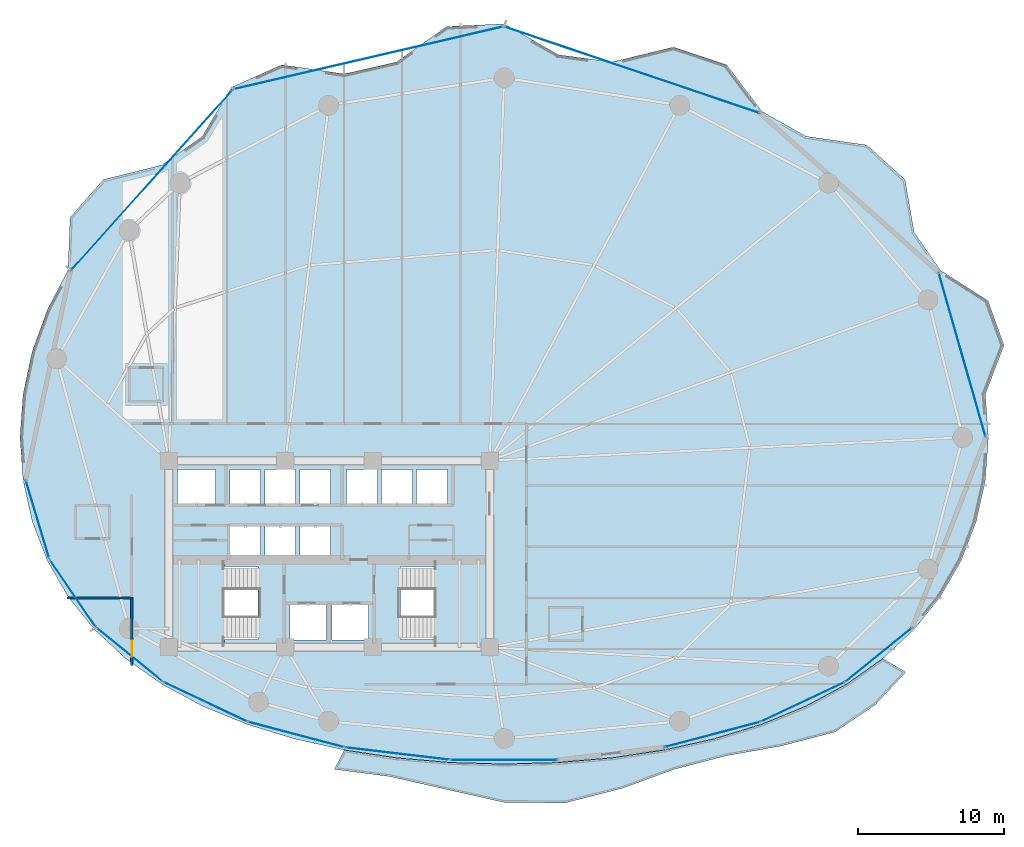
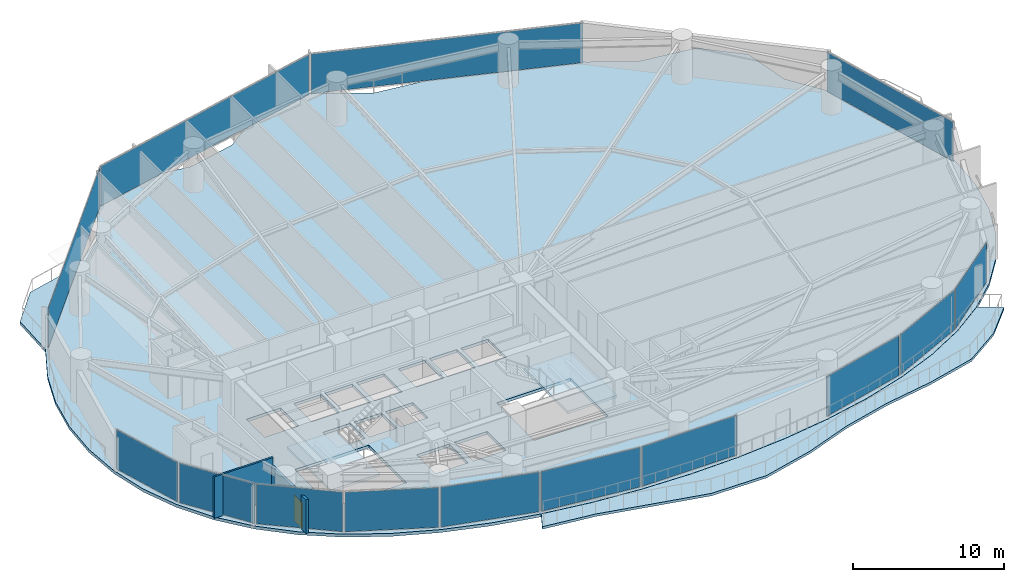
# One storey, part 25 of 32: 14 plates, 4 slabs, 2 walls, 1 door, 1 opening, 16 elements without a shape of their own.
"""IFC4 building model written with IfcOpenShell, lengths in metres."""

from ifc_helpers import new_model, si_unit, direction, frame, frame_2d, origin, origin_2d, place, context, subcontext, project, spatial, polyline, rectangle, outline, extrude, material, layer, layer_set, type_object, element, fill, aggregate, save


model = new_model("IFC4")

# Units and contexts
model_context = context("Model", 3, precision=1e-05, world=origin(), true_north=direction((0.0, 1.0)))
body_context = subcontext(model_context, "Body", "Model", "MODEL_VIEW")
ifc_project = project(units=[si_unit("LENGTHUNIT", "METRE"), si_unit("AREAUNIT", "SQUARE_METRE"), si_unit("VOLUMEUNIT", "CUBIC_METRE"), si_unit("PLANEANGLEUNIT", "RADIAN"), si_unit("MASSUNIT", "GRAM", prefix="KILO")], contexts=[model_context])

# Site, building, storey
site_placement = place(None, origin())
site = spatial("IfcSite", under=ifc_project, at=site_placement, CompositionType="ELEMENT")
building_placement = place(site_placement, origin())
building = spatial("IfcBuilding", under=site, at=building_placement, Name="Kazevale Care Tower and Concert Hall", CompositionType="ELEMENT")
storey_placement = place(building_placement, frame((0.0, 0.0, 85.199951171875)))
storey = spatial("IfcBuildingStorey", under=building, at=storey_placement, Name="L22", CompositionType="ELEMENT", Elevation=85.199951171875)

# Curtain wall, plate
ifc_material_1 = material(Name="Aluminium 6063-T6 and Low-E Glass", Category="aluminium")
ifc_layer_1 = layer(ifc_material_1, 0.179931640625)
ifc_layer_set_1 = layer_set([ifc_layer_1], Name="Aluminium 6063-T6 and Low-E Glass")
curtain_wall_type_1 = type_object("IfcCurtainWallType", Name="Convex Checkerboard Finned Curtain Wall CW-2", PredefinedType="NOTDEFINED", material=ifc_layer_set_1)
curtain_wall_1_placement = place(storey_placement, origin())
curtain_wall_1 = element("IfcCurtainWall", 1, at=curtain_wall_1_placement, inside=storey, type_object=curtain_wall_type_1, Name="cw:L22:f14", PredefinedType="NOTDEFINED")
ifc_material_2 = material(Name="Low-E Laminated Glass", Category="glass")
ifc_layer_2 = layer(ifc_material_2, 0.028076171875)
ifc_layer_set_2 = layer_set([ifc_layer_2], Name="Low-E Laminated Glass")
plate_type_1 = type_object("IfcPlateType", Name="CW-2 Low-E Glazing Panel 28mm", PredefinedType="CURTAIN_PANEL", material=ifc_layer_set_2)
plate_1_placement = place(storey_placement, frame((20.845458984375, 55.635009765625, 0.074951171875), z_axis=(0.0, 0.0, 1.0), x_axis=(0.667264908262, 0.744820476493, 0.0)))
plate_1 = element("IfcPlate", 2, at=plate_1_placement, type_object=plate_type_1, Name="CW-2 panel 1.1", PredefinedType="CURTAIN_PANEL", context=body_context, shape_type="SweptSolid", body=[
    extrude(rectangle(XDim=16.5634765625, YDim=0.028076171875, at=origin_2d()), origin(), (0.0, 0.0, 1.0), 3.2099609375),
])
aggregate(curtain_wall_1, [plate_1])

curtain_wall_2_placement = place(storey_placement, origin())
curtain_wall_2 = element("IfcCurtainWall", 3, at=curtain_wall_2_placement, inside=storey, type_object=curtain_wall_type_1, Name="cw:L22:f16", PredefinedType="NOTDEFINED")
plate_2_placement = place(storey_placement, frame((53.7490234375, 63.19140625, 0.074951171875), z_axis=(0.0, 0.0, 1.0), x_axis=(0.947202632135, -0.320635577685, 0.0)))
plate_2 = element("IfcPlate", 4, at=plate_2_placement, type_object=plate_type_1, Name="CW-2 panel 1.1", PredefinedType="CURTAIN_PANEL", context=body_context, shape_type="SweptSolid", body=[
    extrude(rectangle(XDim=18.40625, YDim=0.028076171875, at=origin_2d()), origin(), (0.0, 0.0, 1.0), 3.2099609375),
])
aggregate(curtain_wall_2, [plate_2])

ifc_layer_3 = layer(ifc_material_1, 0.179931640625)
ifc_layer_set_3 = layer_set([ifc_layer_3], Name="Aluminium 6063-T6 and Low-E Glass")
curtain_wall_type_2 = type_object("IfcCurtainWallType", Name="Convex Recessed Sunroom Curtain Wall CW-3", PredefinedType="NOTDEFINED", material=ifc_layer_set_3)
curtain_wall_3_placement = place(storey_placement, origin())
curtain_wall_3 = element("IfcCurtainWall", 5, at=curtain_wall_3_placement, inside=storey, type_object=curtain_wall_type_2, Name="cw:L22:f15", PredefinedType="NOTDEFINED")
ifc_layer_4 = layer(ifc_material_2, 0.028076171875)
ifc_layer_set_4 = layer_set([ifc_layer_4], Name="Low-E Laminated Glass")
plate_type_2 = type_object("IfcPlateType", Name="CW-3 Low-E Glazing Panel 28mm", PredefinedType="CURTAIN_PANEL", material=ifc_layer_set_4)
plate_3_placement = place(storey_placement, frame((35.6904296875, 64.015380859375, 0.074951171875), z_axis=(0.0, 0.0, 1.0), x_axis=(0.9740605916, 0.226287348061, 0.0)))
plate_3 = element("IfcPlate", 6, at=plate_3_placement, type_object=plate_type_2, Name="CW-3 panel 1.1", PredefinedType="CURTAIN_PANEL", context=body_context, shape_type="SweptSolid", body=[
    extrude(rectangle(XDim=18.87451171875, YDim=0.028076171875, at=origin_2d()), origin(), (0.0, 0.0, 1.0), 3.2099609375),
])
aggregate(curtain_wall_3, [plate_3])

ifc_layer_5 = layer(ifc_material_1, 0.179931640625)
ifc_layer_set_5 = layer_set([ifc_layer_5], Name="Aluminium 6063-T6 and Low-E Glass")
curtain_wall_type_3 = type_object("IfcCurtainWallType", Name="Waist & Upper Residential Curtain Wall CW-4", PredefinedType="NOTDEFINED", material=ifc_layer_set_5)
curtain_wall_4_placement = place(storey_placement, origin())
curtain_wall_4 = element("IfcCurtainWall", 7, at=curtain_wall_4_placement, inside=storey, type_object=curtain_wall_type_3, Name="cw:L22:f11", PredefinedType="NOTDEFINED")
ifc_layer_6 = layer(ifc_material_2, 0.030029296875)
ifc_layer_set_6 = layer_set([ifc_layer_6], Name="Low-E Laminated Glass")
plate_type_3 = type_object("IfcPlateType", Name="CW-4 Low-E Glazing Panel 30mm", PredefinedType="CURTAIN_PANEL", material=ifc_layer_set_6)
plate_4_placement = place(storey_placement, frame((15.423583984375, 27.298095703125, 0.080078125), z_axis=(0.0, 0.0, 1.0), x_axis=(-0.563665236801, 0.826003329789, 0.0)))
plate_4 = element("IfcPlate", 8, at=plate_4_placement, type_object=plate_type_3, Name="CW-4 panel 1.1", PredefinedType="CURTAIN_PANEL", context=body_context, shape_type="SweptSolid", body=[
    extrude(rectangle(XDim=5.50830078125, YDim=0.030029296875, at=origin_2d()), origin(), (0.0, 0.0, 1.0), 3.199951171875),
])
aggregate(curtain_wall_4, [plate_4])

curtain_wall_5_placement = place(storey_placement, origin())
curtain_wall_5 = element("IfcCurtainWall", 9, at=curtain_wall_5_placement, inside=storey, type_object=curtain_wall_type_3, Name="cw:L22:f12", PredefinedType="NOTDEFINED")
plate_5_placement = place(storey_placement, frame((13.006591796875, 32.364990234375, 0.080078125), z_axis=(0.0, 0.0, 1.0), x_axis=(-0.287895747909, 0.957661755703, 0.0)))
plate_5 = element("IfcPlate", 10, at=plate_5_placement, type_object=plate_type_3, Name="CW-4 panel 1.1", PredefinedType="CURTAIN_PANEL", context=body_context, shape_type="SweptSolid", body=[
    extrude(rectangle(XDim=5.532958984375, YDim=0.030029296875, at=origin_2d()), origin(), (0.0, 0.0, 1.0), 3.199951171875),
])
aggregate(curtain_wall_5, [plate_5])

curtain_wall_6_placement = place(storey_placement, origin())
curtain_wall_6 = element("IfcCurtainWall", 11, at=curtain_wall_6_placement, inside=storey, type_object=curtain_wall_type_3, Name="cw:L22:f18", PredefinedType="NOTDEFINED")
plate_6_placement = place(storey_placement, frame((76.402587890625, 43.660888671875, 0.080078125), z_axis=(0.0, 0.0, 1.0), x_axis=(0.274732344388, -0.961520742858, 0.0)))
plate_6 = element("IfcPlate", 12, at=plate_6_placement, type_object=plate_type_3, Name="CW-4 panel 1.1", PredefinedType="CURTAIN_PANEL", context=body_context, shape_type="SweptSolid", body=[
    extrude(rectangle(XDim=11.614990234375, YDim=0.030029296875, at=origin_2d()), origin(), (0.0, 0.0, 1.0), 3.199951171875),
])
aggregate(curtain_wall_6, [plate_6])

ifc_layer_7 = layer(ifc_material_1, 0.179931640625)
ifc_layer_set_7 = layer_set([ifc_layer_7], Name="Aluminium 6063-T6 and Low-E Glass")
curtain_wall_type_4 = type_object("IfcCurtainWallType", Name="Sheltered Concave Balcony Curtain Wall CW-5", PredefinedType="NOTDEFINED", material=ifc_layer_set_7)
curtain_wall_7_placement = place(storey_placement, origin())
curtain_wall_7 = element("IfcCurtainWall", 13, at=curtain_wall_7_placement, inside=storey, type_object=curtain_wall_type_4, Name="cw:L22:f02", PredefinedType="NOTDEFINED")
ifc_layer_8 = layer(ifc_material_2, 0.02587890625)
ifc_layer_set_8 = layer_set([ifc_layer_8], Name="Low-E Laminated Glass")
plate_type_4 = type_object("IfcPlateType", Name="CW-5 Low-E Glazing Panel 26mm", PredefinedType="CURTAIN_PANEL", material=ifc_layer_set_8)
plate_7_placement = place(storey_placement, frame((70.679931640625, 23.092041015625, 0.074951171875), z_axis=(0.0, 0.0, 1.0), x_axis=(-0.77659940539, -0.629994732952, 0.0)))
plate_7 = element("IfcPlate", 14, at=plate_7_placement, type_object=plate_type_4, Name="CW-5 panel 1.1", PredefinedType="CURTAIN_PANEL", context=body_context, shape_type="SweptSolid", body=[
    extrude(rectangle(XDim=5.770751953125, YDim=0.02587890625, at=origin_2d()), origin(), (0.0, 0.0, 1.0), 3.2099609375),
])
aggregate(curtain_wall_7, [plate_7])

curtain_wall_8_placement = place(storey_placement, origin())
curtain_wall_8 = element("IfcCurtainWall", 15, at=curtain_wall_8_placement, inside=storey, type_object=curtain_wall_type_4, Name="cw:L22:f03", PredefinedType="NOTDEFINED")
plate_8_placement = place(storey_placement, frame((65.491943359375, 19.863037109375, 0.074951171875), z_axis=(0.0, 0.0, 1.0), x_axis=(-0.904278859092, -0.426942320459, 0.0)))
plate_8 = element("IfcPlate", 16, at=plate_8_placement, type_object=plate_type_4, Name="CW-5 panel 1.1", PredefinedType="CURTAIN_PANEL", context=body_context, shape_type="SweptSolid", body=[
    extrude(rectangle(XDim=6.239501953125, YDim=0.02587890625, at=origin_2d()), origin(), (0.0, 0.0, 1.0), 3.2099609375),
])
aggregate(curtain_wall_8, [plate_8])

curtain_wall_9_placement = place(storey_placement, origin())
curtain_wall_9 = element("IfcCurtainWall", 17, at=curtain_wall_9_placement, inside=storey, type_object=curtain_wall_type_4, Name="cw:L22:f04", PredefinedType="NOTDEFINED")
plate_9_placement = place(storey_placement, frame((59.267578125, 17.6201171875, 0.074951171875), z_axis=(0.0, 0.0, 1.0), x_axis=(-0.966986230097, -0.254828630267, 0.0)))
plate_9 = element("IfcPlate", 18, at=plate_9_placement, type_object=plate_type_4, Name="CW-5 panel 1.1", PredefinedType="CURTAIN_PANEL", context=body_context, shape_type="SweptSolid", body=[
    extrude(rectangle(XDim=6.748779296875, YDim=0.02587890625, at=origin_2d()), origin(), (0.0, 0.0, 1.0), 3.2099609375),
])
aggregate(curtain_wall_9, [plate_9])

curtain_wall_10_placement = place(storey_placement, origin())
curtain_wall_10 = element("IfcCurtainWall", 19, at=curtain_wall_10_placement, inside=storey, type_object=curtain_wall_type_4, Name="cw:L22:f06", PredefinedType="NOTDEFINED")
plate_10_placement = place(storey_placement, frame((45.0, 15.885986328125, 0.074951171875), z_axis=(0.0, 0.0, 1.0), x_axis=(-1.0, 0.0, 0.0)))
plate_10 = element("IfcPlate", 20, at=plate_10_placement, type_object=plate_type_4, Name="CW-5 panel 1.1", PredefinedType="CURTAIN_PANEL", context=body_context, shape_type="SweptSolid", body=[
    extrude(rectangle(XDim=7.263916015625, YDim=0.02587890625, at=origin_2d()), origin(), (0.0, 0.0, 1.0), 3.2099609375),
])
aggregate(curtain_wall_10, [plate_10])

curtain_wall_11_placement = place(storey_placement, origin())
curtain_wall_11 = element("IfcCurtainWall", 21, at=curtain_wall_11_placement, inside=storey, type_object=curtain_wall_type_4, Name="cw:L22:f07", PredefinedType="NOTDEFINED")
plate_11_placement = place(storey_placement, frame((37.680419921875, 16.3134765625, 0.074951171875), z_axis=(0.0, 0.0, 1.0), x_axis=(-0.993070624294, 0.117519084253, 0.0)))
plate_11 = element("IfcPlate", 22, at=plate_11_placement, type_object=plate_type_4, Name="CW-5 panel 1.1", PredefinedType="CURTAIN_PANEL", context=body_context, shape_type="SweptSolid", body=[
    extrude(rectangle(XDim=7.12548828125, YDim=0.02587890625, at=origin_2d()), origin(), (0.0, 0.0, 1.0), 3.2099609375),
])
aggregate(curtain_wall_11, [plate_11])

curtain_wall_12_placement = place(storey_placement, origin())
curtain_wall_12 = element("IfcCurtainWall", 23, at=curtain_wall_12_placement, inside=storey, type_object=curtain_wall_type_4, Name="cw:L22:f08", PredefinedType="NOTDEFINED")
plate_12_placement = place(storey_placement, frame((30.732421875, 17.6201171875, 0.074951171875), z_axis=(0.0, 0.0, 1.0), x_axis=(-0.966986230097, 0.254828630267, 0.0)))
plate_12 = element("IfcPlate", 24, at=plate_12_placement, type_object=plate_type_4, Name="CW-5 panel 1.1", PredefinedType="CURTAIN_PANEL", context=body_context, shape_type="SweptSolid", body=[
    extrude(rectangle(XDim=6.748779296875, YDim=0.02587890625, at=origin_2d()), origin(), (0.0, 0.0, 1.0), 3.2099609375),
])
aggregate(curtain_wall_12, [plate_12])

curtain_wall_13_placement = place(storey_placement, origin())
curtain_wall_13 = element("IfcCurtainWall", 25, at=curtain_wall_13_placement, inside=storey, type_object=curtain_wall_type_4, Name="cw:L22:f09", PredefinedType="NOTDEFINED")
plate_13_placement = place(storey_placement, frame((24.508056640625, 19.863037109375, 0.074951171875), z_axis=(0.0, 0.0, 1.0), x_axis=(-0.904278859092, 0.426942320459, 0.0)))
plate_13 = element("IfcPlate", 26, at=plate_13_placement, type_object=plate_type_4, Name="CW-5 panel 1.1", PredefinedType="CURTAIN_PANEL", context=body_context, shape_type="SweptSolid", body=[
    extrude(rectangle(XDim=6.239501953125, YDim=0.02587890625, at=origin_2d()), origin(), (0.0, 0.0, 1.0), 3.2099609375),
])
aggregate(curtain_wall_13, [plate_13])

curtain_wall_14_placement = place(storey_placement, origin())
curtain_wall_14 = element("IfcCurtainWall", 27, at=curtain_wall_14_placement, inside=storey, type_object=curtain_wall_type_4, Name="cw:L22:f10", PredefinedType="NOTDEFINED")
plate_14_placement = place(storey_placement, frame((19.320068359375, 23.092041015625, 0.074951171875), z_axis=(0.0, 0.0, 1.0), x_axis=(-0.77659940539, 0.629994732952, 0.0)))
plate_14 = element("IfcPlate", 28, at=plate_14_placement, type_object=plate_type_4, Name="CW-5 panel 1.1", PredefinedType="CURTAIN_PANEL", context=body_context, shape_type="SweptSolid", body=[
    extrude(rectangle(XDim=5.770751953125, YDim=0.02587890625, at=origin_2d()), origin(), (0.0, 0.0, 1.0), 3.2099609375),
])
aggregate(curtain_wall_14, [plate_14])

# Slab
ifc_material_3 = material(Name="Concrete C40", Category="concrete")
ifc_layer_9 = layer(ifc_material_3, 0.199951171875)
ifc_layer_set_9 = layer_set([ifc_layer_9], Name="Concrete C40")
slab_type_1 = type_object("IfcSlabType", Name="Sinusoidal Concave Balcony Slab 200", PredefinedType="USERDEFINED", material=ifc_layer_set_9)
slab_1_placement = place(storey_placement, frame((0.0, 0.0, -0.199951171875)))
element("IfcSlab", 29, at=slab_1_placement, inside=storey, type_object=slab_type_1, Name="slab:L22:bal", ObjectType="BALCONY", PredefinedType="USERDEFINED", context=body_context, shape_type="SweptSolid", body=[
    extrude(outline(polyline([(72.5361328125, 21.90380859375), (70.441650390625, 19.656005859375), (67.691162109375, 17.802978515625), (64.0029296875, 16.837890625), (60.214599609375, 16.166748046875), (56.645751953125, 15.2333984375), (53.0908203125, 13.93408203125), (49.179443359375, 12.93359375), (45.0, 12.97021484375), (40.977294921875, 13.873046875), (37.180419921875, 14.74072265625), (33.3564453125, 15.238037109375), (34.0322265625, 16.55908203125), (34.03369140625, 16.558837890625), (37.61181640625, 16.0205078125), (41.282470703125, 15.700927734375), (45.0, 15.594970703125), (48.717529296875, 15.700927734375), (52.38818359375, 16.0205078125), (55.96630859375, 16.558837890625), (59.40625, 17.323974609375), (62.665283203125, 18.324951171875), (65.701904296875, 19.571044921875), (68.478515625, 21.069091796875), (70.9599609375, 22.8232421875), (70.961181640625, 22.824462890625), (72.5361328125, 21.90380859375)])), origin(), (0.0, 0.0, 1.0), 0.199951171875),
])

# Stair, slab
stair_type = type_object("IfcStairType", Name="Exit Stair Assembly ST1-Z1", PredefinedType="HALF_TURN_STAIR", material=ifc_material_3)
stair_1_placement = place(storey_placement, origin())
stair_1 = element("IfcStair", 30, at=stair_1_placement, inside=storey, type_object=stair_type, Name="stair:L22:ST1", PredefinedType="HALF_TURN_STAIR")
ifc_layer_10 = layer(ifc_material_3, 0.199951171875)
ifc_layer_set_10 = layer_set([ifc_layer_10], Name="Concrete C40")
slab_type_2 = type_object("IfcSlabType", Name="Stair Half-Landing Slab ST1-Z1", PredefinedType="LANDING", material=ifc_layer_set_10)
slab_2_placement = place(storey_placement, frame((0.0, 0.0, 1.60009765625)))
slab_2 = element("IfcSlab", 31, at=slab_2_placement, type_object=slab_type_2, Name="ST1-Z1 landing 1", PredefinedType="LANDING", context=body_context, shape_type="SweptSolid", body=[
    extrude(outline(polyline([(22.050048828125, 23.699951171875), (25.81005859375, 23.699951171875), (25.81005859375, 29.5), (22.050048828125, 29.5), (22.050048828125, 23.699951171875)])), origin(), (0.0, 0.0, 1.0), 0.199951171875),
])
aggregate(stair_1, [slab_2])

stair_2_placement = place(storey_placement, origin())
stair_2 = element("IfcStair", 32, at=stair_2_placement, inside=storey, type_object=stair_type, Name="stair:L22:ST2", PredefinedType="HALF_TURN_STAIR")
slab_3_placement = place(storey_placement, frame((0.0, 0.0, 1.60009765625)))
slab_3 = element("IfcSlab", 33, at=slab_3_placement, type_object=slab_type_2, Name="ST1-Z1 landing 1", PredefinedType="LANDING", context=body_context, shape_type="SweptSolid", body=[
    extrude(outline(polyline([(40.18994140625, 23.699951171875), (43.949951171875, 23.699951171875), (43.949951171875, 29.5), (40.18994140625, 29.5), (40.18994140625, 23.699951171875)])), origin(), (0.0, 0.0, 1.0), 0.199951171875),
])
aggregate(stair_2, [slab_3])

# Slab
ifc_layer_11 = layer(ifc_material_3, 0.239990234375)
ifc_layer_set_11 = layer_set([ifc_layer_11], Name="Concrete C40")
slab_type_3 = type_object("IfcSlabType", Name="Tower Typical Floor Slab 240", PredefinedType="FLOOR", material=ifc_layer_set_11)
slab_4_placement = place(storey_placement, frame((0.0, 0.0, -0.239990234375)))
element("IfcSlab", 34, at=slab_4_placement, inside=storey, type_object=slab_type_3, Name="slab:L22:tw:1", PredefinedType="FLOOR", context=body_context, shape_type="SweptSolid", body=[
    extrude(outline(polyline([(78.199951171875, 38.0), (77.9912109375, 40.955810546875), (79.268798828125, 44.30859375), (78.177490234375, 47.36328125), (74.912109375, 49.45458984375), (73.111083984375, 52.045654296875), (72.4814453125, 55.67578125), (69.854736328125, 58.04638671875), (65.699951171875, 58.640380859375), (62.66357421875, 60.353515625), (60.2509765625, 63.54248046875), (56.609375, 64.759033203125), (52.3876953125, 63.738037109375), (48.71728515625, 64.23388671875), (45.0, 66.35009765625), (41.064453125, 66.171630859375), (37.6123046875, 63.738037109375), (34.03466796875, 62.91845703125), (29.7490234375, 63.54248046875), (26.299072265625, 62.004638671875), (24.300048828125, 58.640380859375), (21.524169921875, 56.66748046875), (17.5185546875, 55.67578125), (15.237548828125, 53.0830078125), (15.087890625, 49.45458984375), (13.6630859375, 46.719482421875), (12.63232421875, 43.87451171875), (12.0087890625, 40.955810546875), (11.800048828125, 38.0), (12.0087890625, 35.06494140625), (12.63232421875, 32.23388671875), (13.6630859375, 29.560791015625), (15.087890625, 27.084716796875), (16.888916015625, 24.833984375), (19.043212890625, 22.8271484375), (21.524169921875, 21.073486328125), (24.300048828125, 19.575439453125), (27.33642578125, 18.32958984375), (30.59521484375, 17.32861328125), (34.03466796875, 16.563720703125), (37.6123046875, 16.025390625), (41.28271484375, 15.705810546875), (45.0, 15.60009765625), (48.71728515625, 15.705810546875), (52.3876953125, 16.025390625), (55.96533203125, 16.563720703125), (59.40478515625, 17.32861328125), (62.66357421875, 18.32958984375), (65.699951171875, 19.575439453125), (68.475830078125, 21.073486328125), (70.956787109375, 22.8271484375), (73.111083984375, 24.833984375), (74.912109375, 27.084716796875), (76.3369140625, 29.560791015625), (77.36767578125, 32.23388671875), (77.9912109375, 35.06494140625), (78.199951171875, 38.0)]), holes=[polyline([(22.449951171875, 24.14990234375), (28.110107421875, 24.14990234375), (28.110107421875, 29.14990234375), (22.449951171875, 29.14990234375), (22.449951171875, 24.14990234375)]), polyline([(37.889892578125, 24.14990234375), (43.550048828125, 24.14990234375), (43.550048828125, 29.14990234375), (37.889892578125, 29.14990234375), (37.889892578125, 24.14990234375)]), polyline([(30.300048828125, 24.10009765625), (32.800048828125, 24.10009765625), (32.800048828125, 26.60009765625), (30.300048828125, 26.60009765625), (30.300048828125, 24.10009765625)]), polyline([(33.199951171875, 24.10009765625), (35.699951171875, 24.10009765625), (35.699951171875, 26.60009765625), (33.199951171875, 26.60009765625), (33.199951171875, 24.10009765625)]), polyline([(22.60009765625, 33.39990234375), (25.199951171875, 33.39990234375), (25.199951171875, 35.800048828125), (22.60009765625, 35.800048828125), (22.60009765625, 33.39990234375)]), polyline([(26.199951171875, 33.39990234375), (28.300048828125, 33.39990234375), (28.300048828125, 35.800048828125), (26.199951171875, 35.800048828125), (26.199951171875, 33.39990234375)]), polyline([(28.60009765625, 33.39990234375), (30.699951171875, 33.39990234375), (30.699951171875, 35.800048828125), (28.60009765625, 35.800048828125), (28.60009765625, 33.39990234375)]), polyline([(31.0, 33.39990234375), (33.10009765625, 33.39990234375), (33.10009765625, 35.800048828125), (31.0, 35.800048828125), (31.0, 33.39990234375)]), polyline([(34.199951171875, 33.39990234375), (36.300048828125, 33.39990234375), (36.300048828125, 35.800048828125), (34.199951171875, 35.800048828125), (34.199951171875, 33.39990234375)]), polyline([(36.60009765625, 33.39990234375), (38.699951171875, 33.39990234375), (38.699951171875, 35.800048828125), (36.60009765625, 35.800048828125), (36.60009765625, 33.39990234375)]), polyline([(39.0, 33.39990234375), (41.10009765625, 33.39990234375), (41.10009765625, 35.800048828125), (39.0, 35.800048828125), (39.0, 33.39990234375)]), polyline([(26.199951171875, 29.949951171875), (28.300048828125, 29.949951171875), (28.300048828125, 31.949951171875), (26.199951171875, 31.949951171875), (26.199951171875, 29.949951171875)]), polyline([(28.60009765625, 29.949951171875), (30.699951171875, 29.949951171875), (30.699951171875, 31.949951171875), (28.60009765625, 31.949951171875), (28.60009765625, 29.949951171875)]), polyline([(31.0, 29.949951171875), (33.10009765625, 29.949951171875), (33.10009765625, 31.949951171875), (31.0, 31.949951171875), (31.0, 29.949951171875)])]), origin(), (0.0, 0.0, 1.0), 0.239990234375),
])

# Wall
ifc_material_4 = material(Name="Acoustic Gypsum on Steel Stud", Category="steel")
ifc_layer_12 = layer(ifc_material_4, 0.139892578125)
ifc_layer_set_12 = layer_set([ifc_layer_12], Name="Acoustic Gypsum on Steel Stud")
wall_type_1 = type_object("IfcWallType", Name="Acoustic Care & Suite Partition 140", PredefinedType="PARTITIONING", material=ifc_layer_set_12)
wall_1_placement = place(storey_placement, frame((15.006103515625, 27.0, 0.0), z_axis=(0.0, 0.0, 1.0), x_axis=(1.0, 0.0, 0.0)))
element("IfcWall", 35, at=wall_1_placement, inside=storey, type_object=wall_type_1, Name="wall:L22:auto_028", PredefinedType="PARTITIONING", context=body_context, shape_type="SweptSolid", body=[
    extrude(rectangle(XDim=4.498779296875, YDim=0.139892578125, at=frame_2d((2.24951171875, 0.0))), origin(), (0.0, 0.0, 1.0), 3.360107421875),
])

# Wall, opening, door
ifc_material_5 = material(Name="Concrete C40 and Acoustic Gypsum", Category="concrete")
ifc_layer_13 = layer(ifc_material_5, 0.179931640625)
ifc_layer_set_13 = layer_set([ifc_layer_13], Name="Concrete C40 and Acoustic Gypsum")
wall_type_2 = type_object("IfcWallType", Name="Fire-Rated Corridor & Party Wall 180", PredefinedType="PARTITIONING", material=ifc_layer_set_13)
wall_2_placement = place(storey_placement, frame((19.47509765625, 22.362060546875, 0.0), z_axis=(0.0, 0.0, 1.0), x_axis=(0.0, 1.0, 0.0)))
wall_2 = element("IfcWall", 36, at=wall_2_placement, inside=storey, type_object=wall_type_2, Name="wall:L22:auto_014", PredefinedType="PARTITIONING", context=body_context, shape_type="SweptSolid", body=[
    extrude(rectangle(XDim=4.702880859375, YDim=0.179931640625, at=frame_2d((2.3515625, 0.0))), origin(), (0.0, 0.0, 1.0), 2.738037109375),
])
opening_placement = place(wall_2_placement, frame((0.60205078125, 0.0, 0.0)))
opening = element("IfcOpeningElement", 37, at=opening_placement, cuts=wall_2, Name="Opening ID-1100", PredefinedType="OPENING", context=body_context, shape_type="SweptSolid", body=[
    extrude(rectangle(XDim=1.10009765625, YDim=2.10009765625, at=frame_2d((0.550048828125, 1.050048828125))), frame((0.0, 0.099853515625, 0.0), z_axis=(0.0, -1.0, 0.0), x_axis=(1.0, 0.0, 0.0)), (0.0, 0.0, 1.0), 0.199951171875),
])
ifc_material_6 = material(Name="Oak Timber Fire Leaf", Category="wood")
door_type = type_object("IfcDoorType", Name="Care Bedroom Accessible Door 1100x2100", OperationType="NOTDEFINED", PredefinedType="DOOR", material=ifc_material_6)
door_placement = place(opening_placement, origin())
door = element("IfcDoor", 38, at=door_placement, inside=storey, type_object=door_type, Name="door:L22:ad_014", OperationType="SINGLE_SWING_LEFT", OverallHeight=2.10009765625, OverallWidth=1.10009765625, PredefinedType="DOOR", context=body_context, shape_type="SweptSolid", body=[
    extrude(rectangle(XDim=1.10009765625, YDim=2.10009765625, at=frame_2d((0.550048828125, 1.050048828125))), frame((0.0, 0.02490234375, 0.0), z_axis=(0.0, -1.0, 0.0), x_axis=(1.0, 0.0, 0.0)), (0.0, 0.0, 1.0), 0.050048828125),
])
fill(opening, door)

save(model, "model.ifc")
